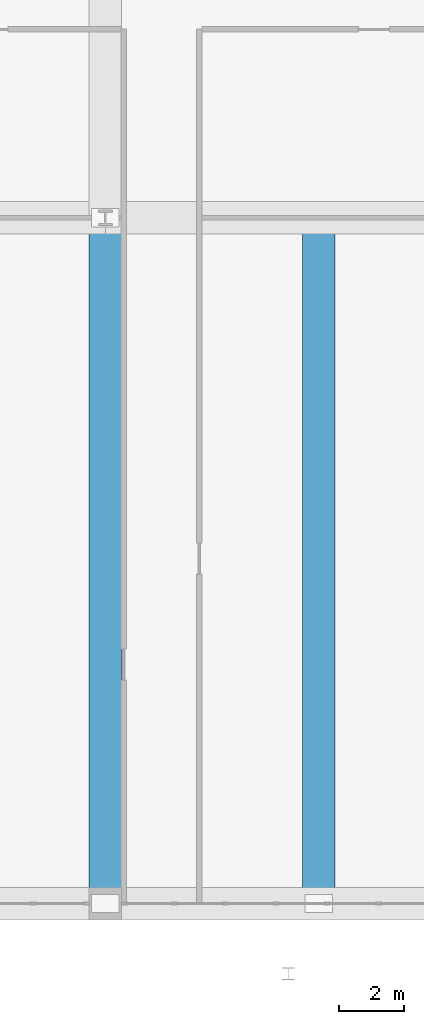
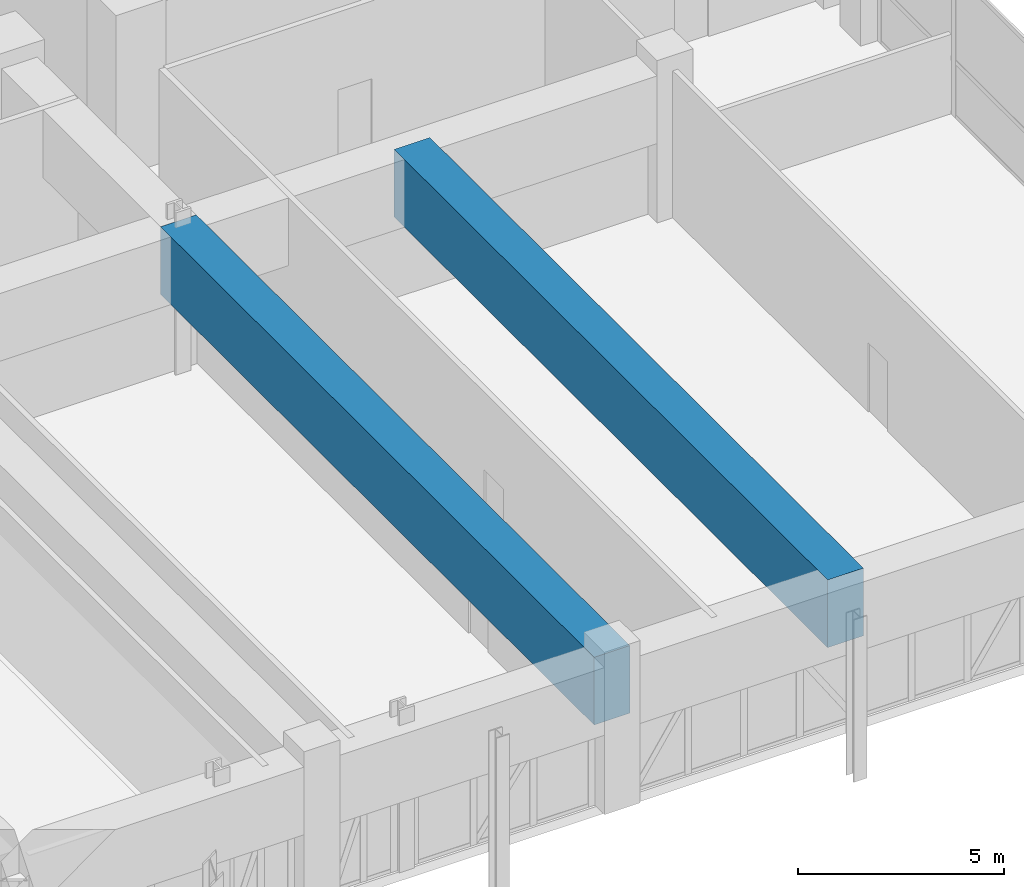
# One storey, part 11 of 44: 2 beams.
"""IFC4 building model written with IfcOpenShell, lengths in metres."""

from ifc_helpers import new_model, si_unit, derived_unit, direction, frame, origin, origin_2d, place, context, subcontext, project, spatial, rectangle, extrude, source, transform, mapped, material, material_profile, profile_set, type_object, element, save


model = new_model("IFC4")

# Units and contexts
model_context = context("Model", 3, precision=1e-05, world=origin(), true_north=direction((0.0, 1.0)))
body_context = subcontext(model_context, "Body", "Model", "MODEL_VIEW")
ifc_project = project(units=[si_unit("LENGTHUNIT", "METRE"), si_unit("AREAUNIT", "SQUARE_METRE"), si_unit("VOLUMEUNIT", "CUBIC_METRE"), si_unit("PLANEANGLEUNIT", "RADIAN"), si_unit("MASSUNIT", "GRAM", prefix="KILO"), derived_unit("THERMALTRANSMITTANCEUNIT", [(si_unit("POWERUNIT", "WATT"), 1), (si_unit("LENGTHUNIT", "METRE"), -2), (si_unit("THERMODYNAMICTEMPERATUREUNIT", "KELVIN"), -1)])], contexts=[model_context])

# Site, building, storey
site_placement = place(None, origin())
site = spatial("IfcSite", under=ifc_project, at=site_placement, CompositionType="ELEMENT")
building_placement = place(site_placement, origin())
building = spatial("IfcBuilding", under=site, at=building_placement, Name="Korsvarv Bourse and Concert Hall", CompositionType="ELEMENT")
storey_placement = place(building_placement, frame((0.0, 0.0, 9.60009765625)))
storey = spatial("IfcBuildingStorey", under=building, at=storey_placement, Name="L02", CompositionType="ELEMENT", Elevation=9.60009765625)

# Beams
ifc_material = material(Name="Concrete C60/75", Category="concrete")
ifc_material_profile = material_profile(ifc_material, rectangle(XDim=1.0, YDim=2.0, at=origin_2d()), Name="RC-BM 1000x2000")
ifc_profile_set = profile_set([ifc_material_profile], Name="Concrete C60/75")
beam_type = type_object("IfcBeamType", Name="BM-TR1", PredefinedType="BEAM", material=ifc_profile_set)
shared_shape = source(origin(), body_context, "Body", "SweptSolid", [
    extrude(rectangle(XDim=1.0, YDim=2.0, at=origin_2d()), origin(), (0.0, 0.0, 1.0), 21.0),
])
for number, where, z_axis, x_axis, name in (
    (1, (44.39990234375, 3.0, 3.349853515625), (0.0, 1.0, 0.0), (-1.0, 0.0, 0.0), "L03 Podium Transfer Girder BM-L02-PTR9"),
    (2, (50.93212890625, 3.0, 3.349853515625), (0.0, 1.0, 0.0), (-1.0, 0.0, 0.0), "L03 Podium Transfer Girder BM-L02-PTRC11"),
):
    element("IfcBeam", number, at=place(storey_placement, frame(where, z_axis=z_axis, x_axis=x_axis)), inside=storey, type_object=beam_type, Name=name, PredefinedType="BEAM", context=body_context, shape_type="MappedRepresentation", body=[
        mapped(shared_shape, transform((0.0, 0.0, 0.0), scale=1.0)),
    ])

save(model, "model.ifc")
